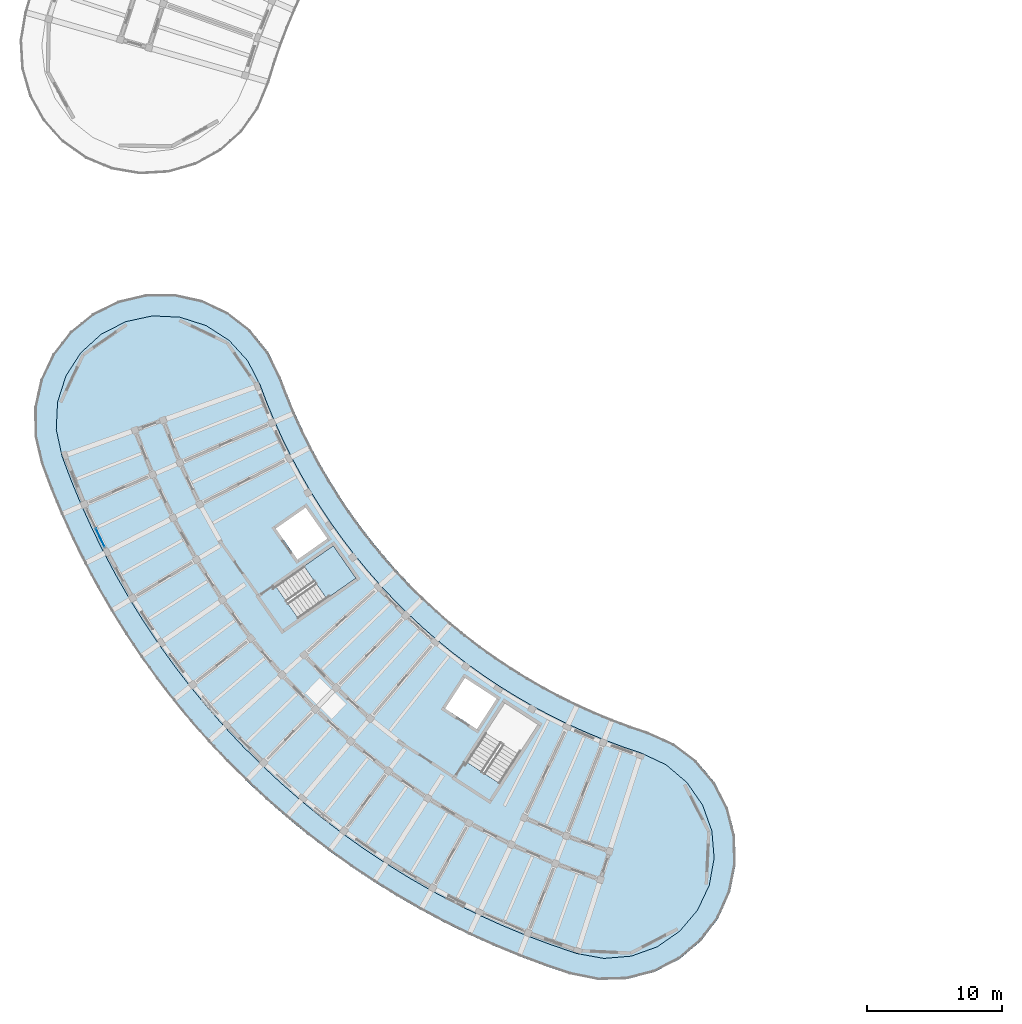
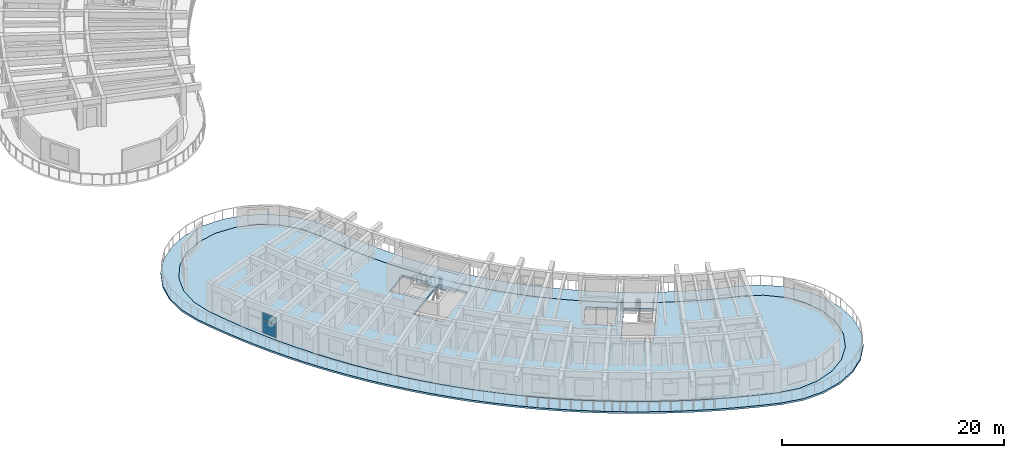
# One storey, part 32 of 83: 3 slabs, 2 plates, 2 elements without a shape of their own.
"""IFC4 building model written with IfcOpenShell, lengths in metres."""

from ifc_helpers import new_model, si_unit, direction, frame, origin, origin_2d, place, context, subcontext, project, spatial, polyline, rectangle, outline, extrude, material, layer, layer_set, type_object, element, aggregate, save


model = new_model("IFC4")

# Units and contexts
model_context = context("Model", 3, precision=1e-05, world=origin(), true_north=direction((0.0, 1.0)))
body_context = subcontext(model_context, "Body", "Model", "MODEL_VIEW")
ifc_project = project(units=[si_unit("LENGTHUNIT", "METRE"), si_unit("AREAUNIT", "SQUARE_METRE"), si_unit("VOLUMEUNIT", "CUBIC_METRE"), si_unit("PLANEANGLEUNIT", "RADIAN"), si_unit("MASSUNIT", "GRAM", prefix="KILO")], contexts=[model_context])

# Site, building, storey
site_placement = place(None, origin())
site = spatial("IfcSite", under=ifc_project, at=site_placement, CompositionType="ELEMENT")
building_placement = place(site_placement, origin())
building = spatial("IfcBuilding", under=site, at=building_placement, Name="Tanwirah Colonnade Gardens", CompositionType="ELEMENT")
storey_placement = place(building_placement, frame((0.0, 0.0, 25.639892578125)))
storey = spatial("IfcBuildingStorey", under=building, at=storey_placement, Name="L07", CompositionType="ELEMENT", Elevation=25.639892578125)

# Curtain wall, plates
ifc_material_1 = material(Name="Bronze-anodised aluminium and solar-control low-E glass", Category="aluminium")
curtain_wall_type = type_object("IfcCurtainWallType", Name="CW-LOB", PredefinedType="NOTDEFINED", material=ifc_material_1)
curtain_wall_placement = place(storey_placement, origin())
curtain_wall = element("IfcCurtainWall", 1, at=curtain_wall_placement, inside=storey, type_object=curtain_wall_type, Name="Curtain Wall CW-C-L07-OUT-02", PredefinedType="NOTDEFINED")
ifc_material_2 = material(Name="Solar-control low-E double glazing", Category="glass")
ifc_layer_1 = layer(ifc_material_2, 0.028076171875)
ifc_layer_set_1 = layer_set([ifc_layer_1], Name="Solar-control low-E double glazing")
plate_type = type_object("IfcPlateType", Name="CWP-GLZ28", PredefinedType="CURTAIN_PANEL", material=ifc_layer_set_1)
plate_1_placement = place(storey_placement, frame((11.557861328125, 38.2900390625, 0.06005859375), z_axis=(0.0, 0.0, 1.0), x_axis=(0.428540128004, -0.903522749404, 0.0)))
plate_1 = element("IfcPlate", 2, at=plate_1_placement, type_object=plate_type, Name="CW-LOB panel 2.1", PredefinedType="CURTAIN_PANEL", context=body_context, shape_type="SweptSolid", body=[
    extrude(rectangle(XDim=1.49853515625, YDim=0.028076171875, at=origin_2d()), origin(), (0.0, 0.0, 1.0), 1.3701171875),
])
plate_2_placement = place(storey_placement, frame((11.557861328125, 38.2900390625, 1.490234375), z_axis=(0.0, 0.0, 1.0), x_axis=(0.428540128004, -0.903522749404, 0.0)))
plate_2 = element("IfcPlate", 3, at=plate_2_placement, type_object=plate_type, Name="CW-LOB panel 2.2", PredefinedType="CURTAIN_PANEL", context=body_context, shape_type="SweptSolid", body=[
    extrude(rectangle(XDim=1.49853515625, YDim=0.028076171875, at=origin_2d()), origin(), (0.0, 0.0, 1.0), 0.804931640625),
])
aggregate(curtain_wall, [plate_1, plate_2])

# Slab
ifc_material_3 = material(Name="White architectural precast concrete C40/50", Category="concrete")
ifc_layer_2 = layer(ifc_material_3, 0.199951171875)
ifc_layer_set_2 = layer_set([ifc_layer_2], Name="White architectural precast concrete C40/50")
slab_type_1 = type_object("IfcSlabType", Name="SL-BAL-200", PredefinedType="FLOOR", material=ifc_layer_set_2)
slab_1_placement = place(storey_placement, frame((0.0, 0.0, -0.199951171875)))
element("IfcSlab", 4, at=slab_1_placement, inside=storey, type_object=slab_type_1, Name="Block C L07 Continuous White Balcony Ribbon", PredefinedType="FLOOR", context=body_context, shape_type="SweptSolid", body=[
    extrude(outline(polyline([(23.977294921875, 51.99365234375), (22.651611328125, 53.628662109375), (20.995361328125, 54.927734375), (19.091552734375, 55.82568359375), (17.03564453125, 56.27734375), (14.9306640625, 56.260498046875), (12.88232421875, 55.775390625), (10.993408203125, 54.8466796875), (9.3583984375, 53.52099609375), (8.059326171875, 51.86474609375), (7.161376953125, 49.9609375), (6.709716796875, 47.905029296875), (6.726806640625, 45.80029296875), (7.2119140625, 43.751953125), (7.921630859375, 41.872314453125), (8.692626953125, 40.016845703125), (9.523681640625, 38.1875), (10.414306640625, 36.386474609375), (11.363525390625, 34.61572265625), (12.369873046875, 32.876708984375), (13.432861328125, 31.171630859375), (14.55078125, 29.502197265625), (15.722900390625, 27.870361328125), (16.94775390625, 26.277587890625), (18.22412109375, 24.725830078125), (19.550537109375, 23.216796875), (20.92578125, 21.751708984375), (22.347900390625, 20.33251953125), (23.81591796875, 18.960693359375), (25.327880859375, 17.637451171875), (26.882568359375, 16.364501953125), (28.477783203125, 15.143310546875), (30.1123046875, 13.974609375), (31.7841796875, 12.860107421875), (33.491455078125, 11.801025390625), (35.232666015625, 10.79833984375), (37.005615234375, 9.85302734375), (38.80859375, 8.966552734375), (40.6396484375, 8.13916015625), (42.496826171875, 7.372314453125), (44.3779296875, 6.666748046875), (46.28125, 6.02294921875), (48.34521484375, 5.609619140625), (50.449462890625, 5.666015625), (52.48828125, 6.189208984375), (54.359619140625, 7.153076171875), (55.9697265625, 8.509033203125), (57.237548828125, 10.189453125), (58.099609375, 12.109619140625), (58.5126953125, 14.173583984375), (58.456298828125, 16.27783203125), (57.93310546875, 18.316650390625), (56.969482421875, 20.18798828125), (55.61328125, 21.7978515625), (53.93310546875, 23.06591796875), (52.0126953125, 23.927978515625), (50.692138671875, 24.37451171875), (49.386962890625, 24.8642578125), (48.0986328125, 25.396240234375), (46.828125, 25.97021484375), (45.5771484375, 26.58544921875), (44.34716796875, 27.2412109375), (43.13916015625, 27.93701171875), (41.95458984375, 28.671630859375), (40.794677734375, 29.445068359375), (39.66064453125, 30.255615234375), (38.5537109375, 31.10302734375), (37.47509765625, 31.986328125), (36.426025390625, 32.904296875), (35.407470703125, 33.856201171875), (34.420654296875, 34.8408203125), (33.466796875, 35.857177734375), (32.54638671875, 36.904296875), (31.660888671875, 37.98095703125), (30.81103515625, 39.0859375), (29.997802734375, 40.218017578125), (29.22216796875, 41.37646484375), (28.484619140625, 42.559326171875), (27.786376953125, 43.765869140625), (27.1279296875, 44.99462890625), (26.510009765625, 46.244140625), (25.933349609375, 47.51318359375), (25.3984375, 48.800537109375), (24.906005859375, 50.104736328125), (23.977294921875, 51.99365234375)]), holes=[polyline([(22.451171875, 51.36279296875), (23.3818359375, 49.555908203125), (23.892333984375, 48.203857421875), (23.892578125, 48.203369140625), (24.447509765625, 46.86767578125), (24.44775390625, 46.866943359375), (25.046142578125, 45.55029296875), (25.04638671875, 45.549560546875), (25.6875, 44.253173828125), (25.687744140625, 44.25244140625), (26.37109375, 42.977783203125), (26.371337890625, 42.97705078125), (27.095947265625, 41.725341796875), (27.09619140625, 41.724853515625), (27.861328125, 40.497314453125), (27.86181640625, 40.496826171875), (28.66650390625, 39.294921875), (28.6669921875, 39.29443359375), (29.5107421875, 38.11962890625), (29.51123046875, 38.119140625), (30.392822265625, 36.97265625), (30.393310546875, 36.97216796875), (31.31201171875, 35.85498046875), (31.3125, 35.8544921875), (32.267333984375, 34.76806640625), (32.267822265625, 34.767578125), (33.257568359375, 33.713134765625), (33.258056640625, 33.712646484375), (34.281982421875, 32.69091796875), (34.282470703125, 32.690673828125), (35.339111328125, 31.702880859375), (35.339599609375, 31.70263671875), (36.42822265625, 30.75), (36.4287109375, 30.749755859375), (37.547607421875, 29.833251953125), (37.54833984375, 29.8330078125), (38.69677734375, 28.95361328125), (38.697265625, 28.953369140625), (39.873779296875, 28.112060546875), (39.874267578125, 28.111572265625), (41.077880859375, 27.309326171875), (41.078369140625, 27.30908203125), (42.307373046875, 26.546630859375), (42.30810546875, 26.54638671875), (43.5615234375, 25.824462890625), (43.56201171875, 25.82421875), (44.83837890625, 25.143798828125), (44.8388671875, 25.1435546875), (46.13671875, 24.505126953125), (46.137451171875, 24.5048828125), (47.45556640625, 23.909423828125), (47.4560546875, 23.9091796875), (48.79296875, 23.357177734375), (48.793701171875, 23.35693359375), (50.14794921875, 22.848876953125), (50.1484375, 22.8486328125), (51.517578125, 22.385498046875), (53.355712890625, 21.5185546875), (54.90576171875, 20.206298828125), (56.0634765625, 18.53759765625), (56.749755859375, 16.626220703125), (56.91796875, 14.60205078125), (56.556640625, 12.603515625), (55.690185546875, 10.766845703125), (54.3779296875, 9.216552734375), (52.709228515625, 8.05908203125), (50.7978515625, 7.372802734375), (48.773681640625, 7.20458984375), (46.774169921875, 7.566162109375), (44.922119140625, 8.192626953125), (43.090576171875, 8.879638671875), (41.282470703125, 9.626220703125), (39.499755859375, 10.431640625), (37.744384765625, 11.294921875), (36.01806640625, 12.21533203125), (34.322998046875, 13.19140625), (32.66064453125, 14.22265625), (31.03271484375, 15.3076171875), (29.44140625, 16.445556640625), (27.88818359375, 17.634521484375), (26.374755859375, 18.8740234375), (24.902587890625, 20.162109375), (23.473388671875, 21.497802734375), (22.088623046875, 22.879638671875), (20.749755859375, 24.305908203125), (19.458251953125, 25.775146484375), (18.215576171875, 27.2861328125), (17.023193359375, 28.836669921875), (15.8818359375, 30.425537109375), (14.79345703125, 32.051025390625), (13.758544921875, 33.7109375), (12.778564453125, 35.404052734375), (11.8544921875, 37.12841796875), (10.987548828125, 38.8818359375), (10.17822265625, 40.662841796875), (9.427490234375, 42.46923828125), (8.73681640625, 44.29833984375), (8.3056640625, 46.2841796875), (8.403076171875, 48.312744140625), (9.0224609375, 50.2470703125), (10.12109375, 51.955078125), (11.624267578125, 53.320556640625), (13.429931640625, 54.25048828125), (15.41455078125, 54.681396484375), (17.443115234375, 54.583984375), (19.37744140625, 53.96484375), (21.085693359375, 52.8662109375), (22.451171875, 51.36279296875)])]), origin(), (0.0, 0.0, 1.0), 0.199951171875),
])

# Stair, slab
ifc_material_4 = material(Name="Precast concrete C40/50", Category="concrete")
stair_type = type_object("IfcStairType", Name="ST-RES168", PredefinedType="HALF_TURN_STAIR", material=ifc_material_4)
stair_placement = place(storey_placement, origin())
stair = element("IfcStair", 5, at=stair_placement, inside=storey, type_object=stair_type, Name="L07 Block C Core 1 Exit Stair", PredefinedType="HALF_TURN_STAIR")
ifc_layer_3 = layer(ifc_material_4, 0.205078125)
ifc_layer_set_3 = layer_set([ifc_layer_3], Name="Precast concrete C40/50")
slab_type_2 = type_object("IfcSlabType", Name="SL-LND-205", PredefinedType="LANDING", material=ifc_layer_set_3)
slab_2_placement = place(storey_placement, frame((0.0, 0.0, 1.47509765625)))
slab_2 = element("IfcSlab", 6, at=slab_2_placement, type_object=slab_type_2, Name="ST-C1 landing 1", PredefinedType="LANDING", context=body_context, shape_type="SweptSolid", body=[
    extrude(outline(polyline([(28.290283203125, 33.79052734375), (30.448974609375, 35.3017578125), (28.77392578125, 37.69384765625), (26.615478515625, 36.182373046875), (28.290283203125, 33.79052734375)])), origin(), (0.0, 0.0, 1.0), 0.205078125),
])
aggregate(stair, [slab_2])

# Slab
ifc_layer_4 = layer(ifc_material_4, 0.25)
ifc_layer_set_4 = layer_set([ifc_layer_4], Name="Precast concrete C40/50")
slab_type_3 = type_object("IfcSlabType", Name="SL-RES-250", PredefinedType="FLOOR", material=ifc_layer_set_4)
slab_3_placement = place(storey_placement, frame((0.0, 0.0, -0.25)))
element("IfcSlab", 7, at=slab_3_placement, inside=storey, type_object=slab_type_3, Name="Block C L07 Precast Composite Floor Slab", PredefinedType="FLOOR", context=body_context, shape_type="SweptSolid", body=[
    extrude(outline(polyline([(24.466064453125, 46.875244140625), (23.910888671875, 48.2109375), (23.39990234375, 49.56396484375), (22.4677734375, 51.374267578125), (21.0986328125, 52.881591796875), (19.385986328125, 53.983154296875), (17.44677734375, 54.603759765625), (15.412841796875, 54.70166015625), (13.423095703125, 54.26953125), (11.61279296875, 53.337158203125), (10.105712890625, 51.968017578125), (9.004150390625, 50.255615234375), (8.38330078125, 48.31640625), (8.28564453125, 46.282470703125), (8.7177734375, 44.29248046875), (9.408935546875, 42.4619140625), (10.159912109375, 40.65478515625), (10.969482421875, 38.873291015625), (11.836669921875, 37.119140625), (12.76123046875, 35.394287109375), (13.741455078125, 33.70068359375), (14.776611328125, 32.0400390625), (15.865478515625, 30.414306640625), (17.007080078125, 28.82470703125), (18.199951171875, 27.273681640625), (19.443115234375, 25.76220703125), (20.73486328125, 24.29248046875), (22.07421875, 22.86572265625), (23.45947265625, 21.4833984375), (24.88916015625, 20.1474609375), (26.36181640625, 18.858642578125), (27.875732421875, 17.618896484375), (29.4296875, 16.429443359375), (31.021484375, 15.291259765625), (32.649658203125, 14.205810546875), (34.312744140625, 13.17431640625), (36.00830078125, 12.19775390625), (37.735107421875, 11.277099609375), (39.4912109375, 10.41357421875), (41.2744140625, 9.60791015625), (43.083251953125, 8.861083984375), (44.91552734375, 8.173828125), (46.76904296875, 7.546630859375), (48.772705078125, 7.184326171875), (50.802001953125, 7.35302734375), (52.718505859375, 8.041015625), (54.3916015625, 9.20166015625), (55.707275390625, 10.755859375), (56.57568359375, 12.597412109375), (56.93798828125, 14.60107421875), (56.76953125, 16.63037109375), (56.081298828125, 18.546875), (54.920654296875, 20.219970703125), (53.36669921875, 21.535400390625), (51.52490234375, 22.404052734375), (50.15478515625, 22.867431640625), (48.800537109375, 23.37548828125), (47.4638671875, 23.927490234375), (46.145751953125, 24.523193359375), (44.84765625, 25.161376953125), (43.571533203125, 25.841796875), (42.318115234375, 26.563720703125), (41.0888671875, 27.326171875), (39.885498046875, 28.12841796875), (38.708740234375, 28.969482421875), (37.560302734375, 29.848876953125), (36.44140625, 30.76513671875), (35.352783203125, 31.717529296875), (34.296142578125, 32.705078125), (33.272216796875, 33.726806640625), (32.282470703125, 34.781494140625), (31.327392578125, 35.86767578125), (30.40869140625, 36.98486328125), (29.52685546875, 38.13134765625), (28.68310546875, 39.30615234375), (27.87841796875, 40.5078125), (27.11328125, 41.7353515625), (26.388671875, 42.987060546875), (25.705322265625, 44.261962890625), (25.064208984375, 45.55859375), (24.466064453125, 46.875244140625)]), holes=[polyline([(24.5185546875, 34.71044921875), (28.775634765625, 37.69140625), (30.447021484375, 35.30419921875), (26.18994140625, 32.323486328125), (24.5185546875, 34.71044921875)]), polyline([(26.737060546875, 40.515869140625), (28.343017578125, 38.22216796875), (26.13134765625, 36.673583984375), (24.525390625, 38.967041015625), (26.737060546875, 40.515869140625)]), polyline([(43.900146484375, 24.486572265625), (41.069580078125, 20.1279296875), (38.625732421875, 21.715087890625), (41.4560546875, 26.073486328125), (43.900146484375, 24.486572265625)]), polyline([(39.385498046875, 24.13916015625), (37.037353515625, 25.664306640625), (38.5078125, 27.9287109375), (40.856201171875, 26.403564453125), (39.385498046875, 24.13916015625)])]), origin(), (0.0, 0.0, 1.0), 0.25),
])

save(model, "model.ifc")
